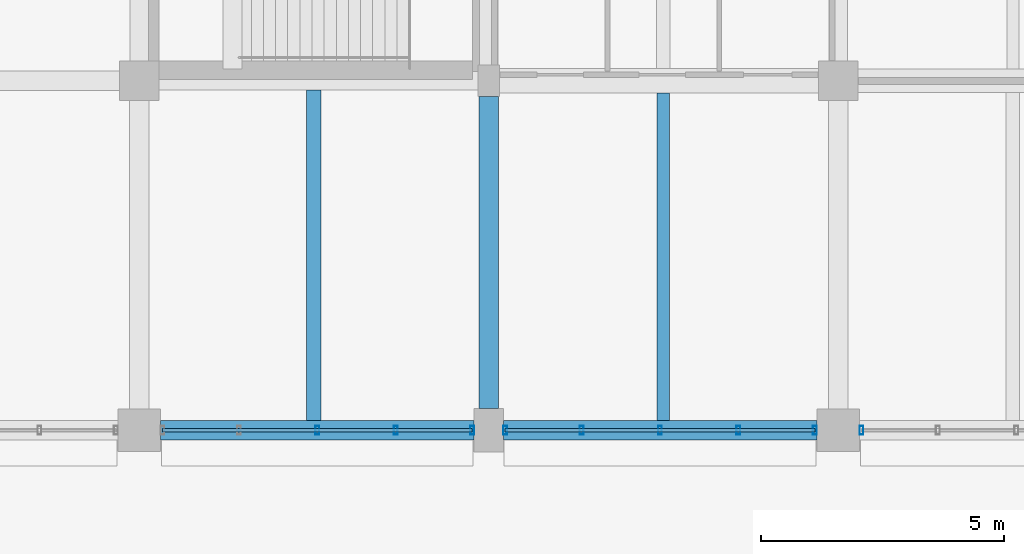
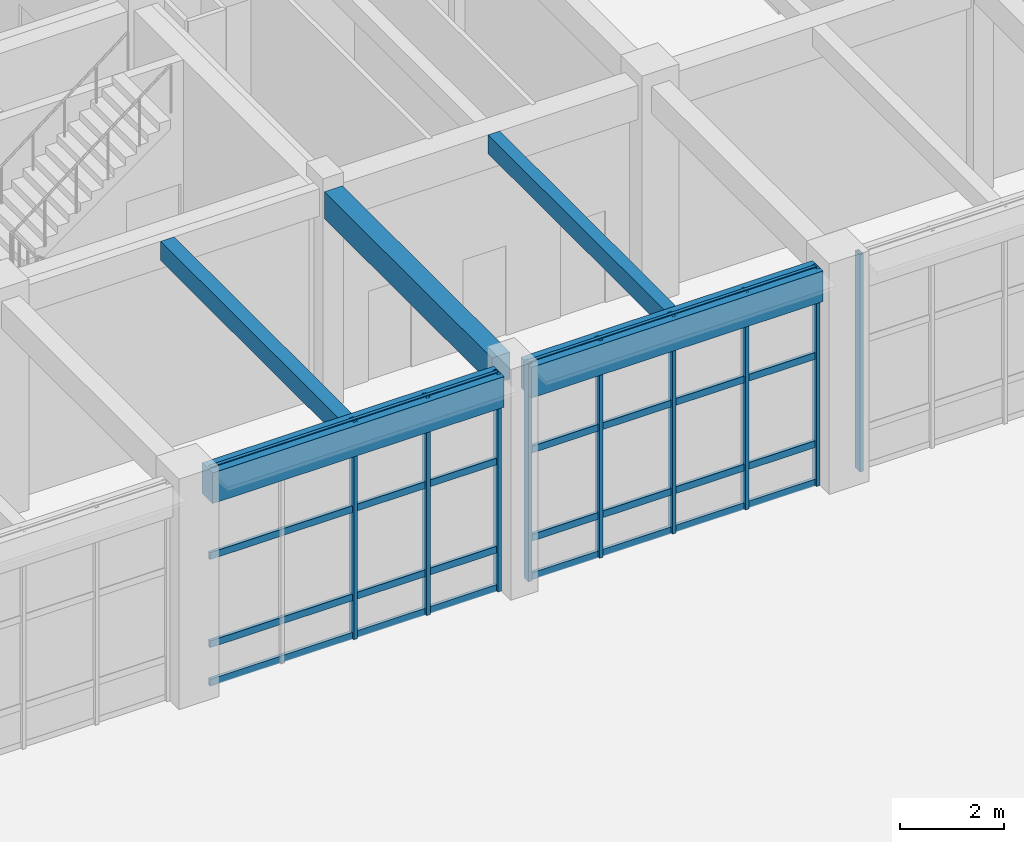
# One storey, part 74 of 160: 17 members, 5 beams, 3 elements without a shape of their own.
"""IFC4 building model written with IfcOpenShell, lengths in metres."""

from ifc_helpers import new_model, si_unit, direction, frame, origin, origin_2d, place, context, subcontext, project, spatial, rectangle, hollow_rectangle, extrude, material, material_profile, profile_set, type_object, element, aggregate, save


model = new_model("IFC4")

# Units and contexts
model_context = context("Model", 3, precision=1e-05, world=origin(), true_north=direction((0.0, 1.0)))
body_context = subcontext(model_context, "Body", "Model", "MODEL_VIEW")
ifc_project = project(units=[si_unit("LENGTHUNIT", "METRE"), si_unit("AREAUNIT", "SQUARE_METRE"), si_unit("VOLUMEUNIT", "CUBIC_METRE"), si_unit("PLANEANGLEUNIT", "RADIAN"), si_unit("MASSUNIT", "GRAM", prefix="KILO")], contexts=[model_context])

# Site, building, storey
site_placement = place(None, origin())
site = spatial("IfcSite", under=ifc_project, at=site_placement, CompositionType="ELEMENT")
building_placement = place(site_placement, origin())
building = spatial("IfcBuilding", under=site, at=building_placement, Name="Thalmaran Polytechnic", CompositionType="ELEMENT")
storey_placement = place(building_placement, origin())
storey = spatial("IfcBuildingStorey", under=building, at=storey_placement, Name="L00", CompositionType="ELEMENT", Elevation=0.0)

# Beams
ifc_material_1 = material(Name="Concrete C40/50", Category="concrete")
ifc_material_profile_1 = material_profile(ifc_material_1, rectangle(XDim=0.39990234375, YDim=0.6298828125, at=origin_2d()), Name="RC 400x630")
ifc_profile_set_1 = profile_set([ifc_material_profile_1], Name="Concrete C40/50")
beam_type_1 = type_object("IfcBeamType", Name="BM-RC07", PredefinedType="BEAM", material=ifc_profile_set_1)
beam_1_placement = place(storey_placement, frame((64.800048828125, 94.050048828125, 4.77490234375), z_axis=(0.0, 1.0, 0.0), x_axis=(-1.0, 0.0, 0.0)))
element("IfcBeam", 1, at=beam_1_placement, inside=storey, type_object=beam_type_1, Name="Grid Beam B07 L00 Y(9,13)", PredefinedType="BEAM", context=body_context, shape_type="SweptSolid", body=[
    extrude(rectangle(XDim=0.39990234375, YDim=0.6298828125, at=origin_2d()), origin(), (0.0, 0.0, 1.0), 6.425048828125),
])
ifc_material_profile_2 = material_profile(ifc_material_1, rectangle(XDim=0.300048828125, YDim=0.449951171875, at=origin_2d()), Name="RC 300x450")
ifc_profile_set_2 = profile_set([ifc_material_profile_2], Name="Concrete C40/50")
beam_type_2 = type_object("IfcBeamType", Name="BM-RC12", PredefinedType="JOIST", material=ifc_profile_set_2)
beam_2_placement = place(storey_placement, frame((61.199951171875, 93.800048828125, 4.864990234375), z_axis=(0.0, 1.0, 0.0), x_axis=(-1.0, 0.0, 0.0)))
element("IfcBeam", 2, at=beam_2_placement, inside=storey, type_object=beam_type_2, Name="Secondary Floor Rib RB02 L00 (8,13)", PredefinedType="JOIST", context=body_context, shape_type="SweptSolid", body=[
    extrude(rectangle(XDim=0.300048828125, YDim=0.449951171875, at=origin_2d()), origin(), (0.0, 0.0, 1.0), 6.81005859375),
])
ifc_material_profile_3 = material_profile(ifc_material_1, rectangle(XDim=0.39990234375, YDim=0.719970703125, at=origin_2d()), Name="RC 400x720")
ifc_profile_set_3 = profile_set([ifc_material_profile_3], Name="Concrete C40/50")
beam_type_3 = type_object("IfcBeamType", Name="BM-SP01", PredefinedType="SPANDREL", material=ifc_profile_set_3)
for number, where, z_axis, x_axis, name in (
    (3, (58.0400390625, 93.60009765625, 4.72998046875), (1.0, 0.0, 0.0), (0.0, 1.0, 0.0), "Grid Beam SP01 L00 X(8,13)"),
    (4, (65.10009765625, 93.60009765625, 4.72998046875), (1.0, 0.0, 0.0), (0.0, 1.0, 0.0), "Grid Beam SP01 L00 X(9,13)"),
):
    element("IfcBeam", number, at=place(storey_placement, frame(where, z_axis=z_axis, x_axis=x_axis)), inside=storey, type_object=beam_type_3, Name=name, PredefinedType="SPANDREL", context=body_context, shape_type="SweptSolid", body=[
        extrude(rectangle(XDim=0.39990234375, YDim=0.719970703125, at=origin_2d()), origin(), (0.0, 0.0, 1.0), 6.4599609375),
    ])
ifc_material_profile_4 = material_profile(ifc_material_1, rectangle(XDim=0.260009765625, YDim=0.43994140625, at=origin_2d()), Name="RC 260x440")
ifc_profile_set_4 = profile_set([ifc_material_profile_4], Name="Concrete C40/50")
beam_type_4 = type_object("IfcBeamType", Name="BM-ZJ02", PredefinedType="JOIST", material=ifc_profile_set_4)
beam_3_placement = place(storey_placement, frame((68.39990234375, 93.800048828125, 4.8701171875), z_axis=(0.0, 1.0, 0.0), x_axis=(-1.0, 0.0, 0.0)))
element("IfcBeam", 5, at=beam_3_placement, inside=storey, type_object=beam_type_4, Name="Secondary Floor Rib ZJ02 L00 (9,13)", PredefinedType="JOIST", context=body_context, shape_type="SweptSolid", body=[
    extrude(rectangle(XDim=0.260009765625, YDim=0.43994140625, at=origin_2d()), origin(), (0.0, 0.0, 1.0), 6.75),
])

# Curtain wall, member
ifc_material_2 = material(Name="Aluminium 6063-T6", Category="aluminium")
curtain_wall_type = type_object("IfcCurtainWallType", Name="CW-UC01", PredefinedType="USERDEFINED", material=ifc_material_2)
curtain_wall_1_placement = place(storey_placement, origin())
curtain_wall_1 = element("IfcCurtainWall", 6, at=curtain_wall_1_placement, inside=storey, type_object=curtain_wall_type, Name="Curtain Wall CW-L00-015", ObjectType="UNITISED CURTAIN WALL", PredefinedType="USERDEFINED")
ifc_material_profile_5 = material_profile(ifc_material_2, hollow_rectangle(XDim=0.080078125, YDim=0.179931640625, WallThickness=0.0048828125, at=origin_2d()), Name="RHS 180x80x5.0")
ifc_profile_set_5 = profile_set([ifc_material_profile_5], Name="Aluminium 6063-T6")
member_type_1 = type_object("IfcMemberType", Name="CW-MUL1", PredefinedType="MULLION", material=ifc_profile_set_5)
member_1_placement = place(storey_placement, frame((72.47998046875, 93.60009765625, 0.0), z_axis=(0.0, 0.0, 1.0), x_axis=(1.0, 0.0, 0.0)))
member_1 = element("IfcMember", 7, at=member_1_placement, type_object=member_type_1, Name="CW-L00-015 Mullion 5", PredefinedType="MULLION", context=body_context, shape_type="SweptSolid", body=[
    extrude(hollow_rectangle(XDim=0.080078125, YDim=0.179931640625, WallThickness=0.0048828125, at=origin_2d()), origin(), (0.0, 0.0, 1.0), 5.090087890625),
])
aggregate(curtain_wall_1, [member_1])

# Curtain wall, members
curtain_wall_2_placement = place(storey_placement, origin())
curtain_wall_2 = element("IfcCurtainWall", 8, at=curtain_wall_2_placement, inside=storey, type_object=curtain_wall_type, Name="Curtain Wall CW-L00-016", ObjectType="UNITISED CURTAIN WALL", PredefinedType="USERDEFINED")
member_2_placement = place(storey_placement, frame((71.52001953125, 93.60009765625, 0.0), z_axis=(0.0, 0.0, 1.0), x_axis=(1.0, 0.0, 0.0)))
member_2 = element("IfcMember", 9, at=member_2_placement, type_object=member_type_1, Name="CW-L00-016 Mullion 1", PredefinedType="MULLION", context=body_context, shape_type="SweptSolid", body=[
    extrude(hollow_rectangle(XDim=0.080078125, YDim=0.179931640625, WallThickness=0.0048828125, at=origin_2d()), origin(), (0.0, 0.0, 1.0), 5.090087890625),
])
member_3_placement = place(storey_placement, frame((69.945068359375, 93.60009765625, 0.0), z_axis=(0.0, 0.0, 1.0), x_axis=(1.0, 0.0, 0.0)))
member_3 = element("IfcMember", 10, at=member_3_placement, type_object=member_type_1, Name="CW-L00-016 Mullion 2", PredefinedType="MULLION", context=body_context, shape_type="SweptSolid", body=[
    extrude(hollow_rectangle(XDim=0.080078125, YDim=0.179931640625, WallThickness=0.0048828125, at=origin_2d()), origin(), (0.0, 0.0, 1.0), 5.090087890625),
])
member_4_placement = place(storey_placement, frame((68.330078125, 93.60009765625, 0.0), z_axis=(0.0, 0.0, 1.0), x_axis=(1.0, 0.0, 0.0)))
member_4 = element("IfcMember", 11, at=member_4_placement, type_object=member_type_1, Name="CW-L00-016 Mullion 3", PredefinedType="MULLION", context=body_context, shape_type="SweptSolid", body=[
    extrude(hollow_rectangle(XDim=0.080078125, YDim=0.179931640625, WallThickness=0.0048828125, at=origin_2d()), origin(), (0.0, 0.0, 1.0), 5.090087890625),
])
member_5_placement = place(storey_placement, frame((66.715087890625, 93.60009765625, 0.0), z_axis=(0.0, 0.0, 1.0), x_axis=(1.0, 0.0, 0.0)))
member_5 = element("IfcMember", 12, at=member_5_placement, type_object=member_type_1, Name="CW-L00-016 Mullion 4", PredefinedType="MULLION", context=body_context, shape_type="SweptSolid", body=[
    extrude(hollow_rectangle(XDim=0.080078125, YDim=0.179931640625, WallThickness=0.0048828125, at=origin_2d()), origin(), (0.0, 0.0, 1.0), 5.090087890625),
])
member_6_placement = place(storey_placement, frame((65.139892578125, 93.60009765625, 0.0), z_axis=(0.0, 0.0, 1.0), x_axis=(1.0, 0.0, 0.0)))
member_6 = element("IfcMember", 13, at=member_6_placement, type_object=member_type_1, Name="CW-L00-016 Mullion 5", PredefinedType="MULLION", context=body_context, shape_type="SweptSolid", body=[
    extrude(hollow_rectangle(XDim=0.080078125, YDim=0.179931640625, WallThickness=0.0048828125, at=origin_2d()), origin(), (0.0, 0.0, 1.0), 5.090087890625),
])

curtain_wall_3_placement = place(storey_placement, origin())
curtain_wall_3 = element("IfcCurtainWall", 14, at=curtain_wall_3_placement, inside=storey, type_object=curtain_wall_type, Name="Curtain Wall CW-L00-017", ObjectType="UNITISED CURTAIN WALL", PredefinedType="USERDEFINED")
member_7_placement = place(storey_placement, frame((64.4599609375, 93.60009765625, 0.0), z_axis=(0.0, 0.0, 1.0), x_axis=(1.0, 0.0, 0.0)))
member_7 = element("IfcMember", 15, at=member_7_placement, type_object=member_type_1, Name="CW-L00-017 Mullion 1", PredefinedType="MULLION", context=body_context, shape_type="SweptSolid", body=[
    extrude(hollow_rectangle(XDim=0.080078125, YDim=0.179931640625, WallThickness=0.0048828125, at=origin_2d()), origin(), (0.0, 0.0, 1.0), 5.090087890625),
])
member_8_placement = place(storey_placement, frame((62.885009765625, 93.60009765625, 0.0), z_axis=(0.0, 0.0, 1.0), x_axis=(1.0, 0.0, 0.0)))
member_8 = element("IfcMember", 16, at=member_8_placement, type_object=member_type_1, Name="CW-L00-017 Mullion 2", PredefinedType="MULLION", context=body_context, shape_type="SweptSolid", body=[
    extrude(hollow_rectangle(XDim=0.080078125, YDim=0.179931640625, WallThickness=0.0048828125, at=origin_2d()), origin(), (0.0, 0.0, 1.0), 5.090087890625),
])
member_9_placement = place(storey_placement, frame((61.27001953125, 93.60009765625, 0.0), z_axis=(0.0, 0.0, 1.0), x_axis=(1.0, 0.0, 0.0)))
member_9 = element("IfcMember", 17, at=member_9_placement, type_object=member_type_1, Name="CW-L00-017 Mullion 3", PredefinedType="MULLION", context=body_context, shape_type="SweptSolid", body=[
    extrude(hollow_rectangle(XDim=0.080078125, YDim=0.179931640625, WallThickness=0.0048828125, at=origin_2d()), origin(), (0.0, 0.0, 1.0), 5.090087890625),
])

# Member
ifc_material_profile_6 = material_profile(ifc_material_2, hollow_rectangle(XDim=0.070068359375, YDim=0.159912109375, WallThickness=0.00390625, at=origin_2d()), Name="AL 160x70x4.0")
ifc_profile_set_6 = profile_set([ifc_material_profile_6], Name="Aluminium 6063-T6")
member_type_2 = type_object("IfcMemberType", Name="CW-TRN1", PredefinedType="USERDEFINED", material=ifc_profile_set_6)
member_10_placement = place(storey_placement, frame((71.52001953125, 93.60009765625, 0.06005859375), z_axis=(-1.0, 0.0, 0.0), x_axis=(0.0, -1.0, 0.0)))
member_10 = element("IfcMember", 18, at=member_10_placement, type_object=member_type_2, Name="CW-L00-016 Transom 1", ObjectType="TRANSOM", PredefinedType="USERDEFINED", context=body_context, shape_type="SweptSolid", body=[
    extrude(hollow_rectangle(XDim=0.070068359375, YDim=0.159912109375, WallThickness=0.00390625, at=origin_2d()), origin(), (0.0, 0.0, 1.0), 6.380126953125),
])

member_11_placement = place(storey_placement, frame((71.52001953125, 93.60009765625, 0.9599609375), z_axis=(-1.0, 0.0, 0.0), x_axis=(0.0, -1.0, 0.0)))
member_11 = element("IfcMember", 19, at=member_11_placement, type_object=member_type_2, Name="CW-L00-016 Transom 2", ObjectType="TRANSOM", PredefinedType="USERDEFINED", context=body_context, shape_type="SweptSolid", body=[
    extrude(hollow_rectangle(XDim=0.070068359375, YDim=0.159912109375, WallThickness=0.00390625, at=origin_2d()), origin(), (0.0, 0.0, 1.0), 6.380126953125),
])

member_12_placement = place(storey_placement, frame((71.52001953125, 93.60009765625, 3.02490234375), z_axis=(-1.0, 0.0, 0.0), x_axis=(0.0, -1.0, 0.0)))
member_12 = element("IfcMember", 20, at=member_12_placement, type_object=member_type_2, Name="CW-L00-016 Transom 3", ObjectType="TRANSOM", PredefinedType="USERDEFINED", context=body_context, shape_type="SweptSolid", body=[
    extrude(hollow_rectangle(XDim=0.070068359375, YDim=0.159912109375, WallThickness=0.00390625, at=origin_2d()), origin(), (0.0, 0.0, 1.0), 6.380126953125),
])

member_13_placement = place(storey_placement, frame((71.52001953125, 93.60009765625, 5.030029296875), z_axis=(-1.0, 0.0, 0.0), x_axis=(0.0, -1.0, 0.0)))
member_13 = element("IfcMember", 21, at=member_13_placement, type_object=member_type_2, Name="CW-L00-016 Transom 4", ObjectType="TRANSOM", PredefinedType="USERDEFINED", context=body_context, shape_type="SweptSolid", body=[
    extrude(hollow_rectangle(XDim=0.070068359375, YDim=0.159912109375, WallThickness=0.00390625, at=origin_2d()), origin(), (0.0, 0.0, 1.0), 6.380126953125),
])

aggregate(curtain_wall_2, [member_2, member_3, member_4, member_5, member_6, member_10, member_11, member_12, member_13])

member_14_placement = place(storey_placement, frame((64.4599609375, 93.60009765625, 0.06005859375), z_axis=(-1.0, 0.0, 0.0), x_axis=(0.0, -1.0, 0.0)))
member_14 = element("IfcMember", 22, at=member_14_placement, type_object=member_type_2, Name="CW-L00-017 Transom 1", ObjectType="TRANSOM", PredefinedType="USERDEFINED", context=body_context, shape_type="SweptSolid", body=[
    extrude(hollow_rectangle(XDim=0.070068359375, YDim=0.159912109375, WallThickness=0.00390625, at=origin_2d()), origin(), (0.0, 0.0, 1.0), 6.3798828125),
])

member_15_placement = place(storey_placement, frame((64.4599609375, 93.60009765625, 0.9599609375), z_axis=(-1.0, 0.0, 0.0), x_axis=(0.0, -1.0, 0.0)))
member_15 = element("IfcMember", 23, at=member_15_placement, type_object=member_type_2, Name="CW-L00-017 Transom 2", ObjectType="TRANSOM", PredefinedType="USERDEFINED", context=body_context, shape_type="SweptSolid", body=[
    extrude(hollow_rectangle(XDim=0.070068359375, YDim=0.159912109375, WallThickness=0.00390625, at=origin_2d()), origin(), (0.0, 0.0, 1.0), 6.3798828125),
])

member_16_placement = place(storey_placement, frame((64.4599609375, 93.60009765625, 3.02490234375), z_axis=(-1.0, 0.0, 0.0), x_axis=(0.0, -1.0, 0.0)))
member_16 = element("IfcMember", 24, at=member_16_placement, type_object=member_type_2, Name="CW-L00-017 Transom 3", ObjectType="TRANSOM", PredefinedType="USERDEFINED", context=body_context, shape_type="SweptSolid", body=[
    extrude(hollow_rectangle(XDim=0.070068359375, YDim=0.159912109375, WallThickness=0.00390625, at=origin_2d()), origin(), (0.0, 0.0, 1.0), 6.3798828125),
])

member_17_placement = place(storey_placement, frame((64.4599609375, 93.60009765625, 5.030029296875), z_axis=(-1.0, 0.0, 0.0), x_axis=(0.0, -1.0, 0.0)))
member_17 = element("IfcMember", 25, at=member_17_placement, type_object=member_type_2, Name="CW-L00-017 Transom 4", ObjectType="TRANSOM", PredefinedType="USERDEFINED", context=body_context, shape_type="SweptSolid", body=[
    extrude(hollow_rectangle(XDim=0.070068359375, YDim=0.159912109375, WallThickness=0.00390625, at=origin_2d()), origin(), (0.0, 0.0, 1.0), 6.3798828125),
])

aggregate(curtain_wall_3, [member_7, member_8, member_9, member_14, member_15, member_16, member_17])

save(model, "model.ifc")
